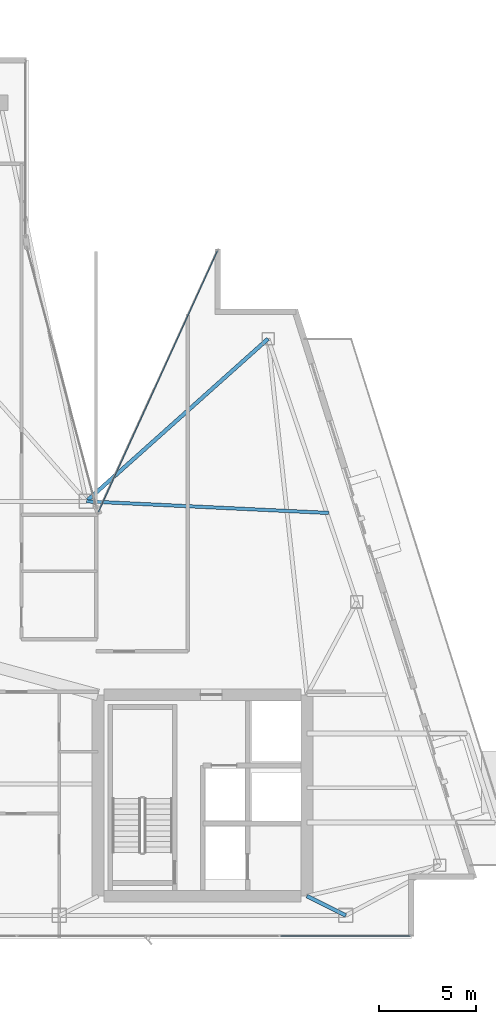
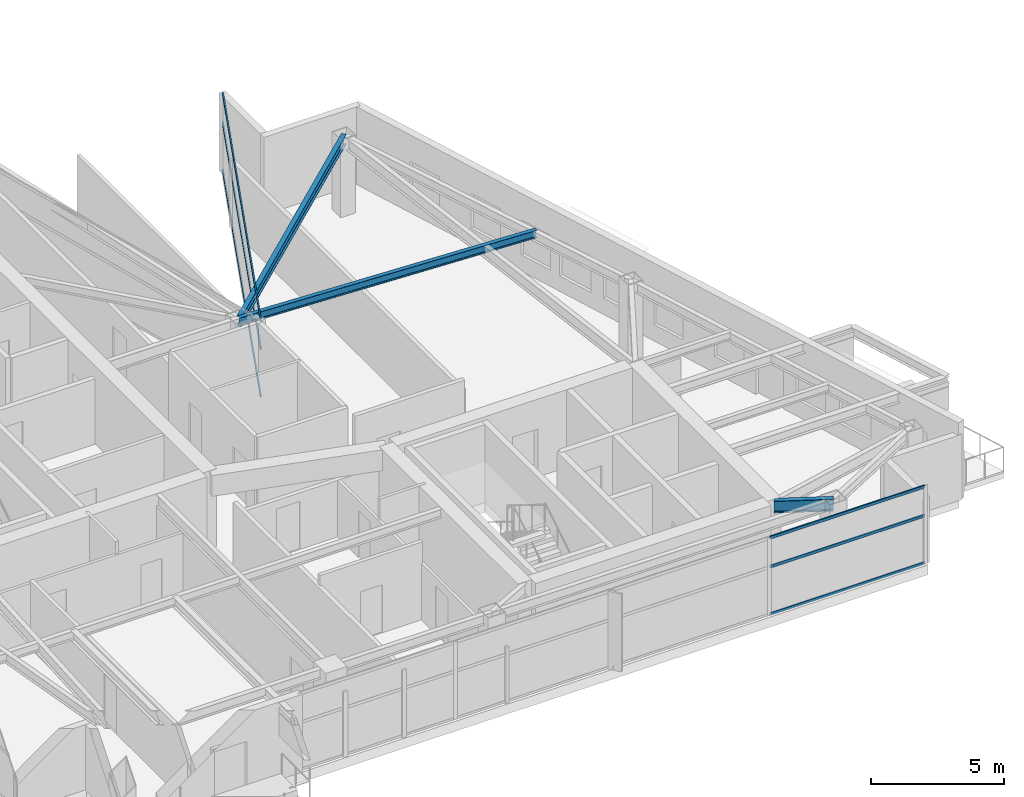
# One storey, part 13 of 27: 6 members, 3 beams, 2 elements without a shape of their own.
"""IFC4 building model written with IfcOpenShell, lengths in metres."""

from ifc_helpers import new_model, si_unit, direction, frame, origin, origin_2d, place, context, subcontext, project, spatial, hollow_rectangle, i_section, extrude, material, layer, layer_set, material_profile, profile_set, type_object, element, aggregate, save


model = new_model("IFC4")

# Units and contexts
model_context = context("Model", 3, precision=1e-05, world=origin(), true_north=direction((0.0, 1.0)))
body_context = subcontext(model_context, "Body", "Model", "MODEL_VIEW")
ifc_project = project(units=[si_unit("LENGTHUNIT", "METRE"), si_unit("AREAUNIT", "SQUARE_METRE"), si_unit("VOLUMEUNIT", "CUBIC_METRE"), si_unit("PLANEANGLEUNIT", "RADIAN"), si_unit("MASSUNIT", "GRAM", prefix="KILO")], contexts=[model_context])

# Site, building, storey
site_placement = place(None, origin())
site = spatial("IfcSite", under=ifc_project, at=site_placement, CompositionType="ELEMENT")
building_placement = place(site_placement, origin())
building = spatial("IfcBuilding", under=site, at=building_placement, Name="Calvorn Quay Hotel", CompositionType="ELEMENT")
storey_placement = place(building_placement, frame((0.0, 0.0, 287.300048828125)))
storey = spatial("IfcBuildingStorey", under=building, at=storey_placement, Name="L71", CompositionType="ELEMENT", Elevation=287.300048828125)

# Beams
ifc_material_1 = material(Name="Steel Q355B", Category="steel")
ifc_material_profile_1 = material_profile(ifc_material_1, i_section(OverallWidth=0.199951171875, OverallDepth=0.550048828125, WebThickness=0.010009765625, FlangeThickness=0.01611328125, FilletRadius=0.01806640625, at=origin_2d()), Name="HN550x200x10x16")
ifc_profile_set_1 = profile_set([ifc_material_profile_1], Name="Steel Q355B")
beam_type_1 = type_object("IfcBeamType", Name="BM-GIRD-UPP", PredefinedType="BEAM", material=ifc_profile_set_1)
beam_1_placement = place(storey_placement, frame((34.39990234375, 3.60009765625, 3.264892578125), z_axis=(-0.894427191, 0.4472135955, 0.0), x_axis=(-0.4472135955, -0.894427191, 0.0)))
element("IfcBeam", 1, at=beam_1_placement, inside=storey, type_object=beam_type_1, Name="Beam BG-L71-S3", PredefinedType="BEAM", context=body_context, shape_type="SweptSolid", body=[
    extrude(i_section(OverallWidth=0.199951171875, OverallDepth=0.550048828125, WebThickness=0.010009765625, FlangeThickness=0.01611328125, FilletRadius=0.01806640625, at=origin_2d()), origin(), (0.0, 0.0, 1.0), 2.236083984375),
])
ifc_material_2 = material(Name="Steel Q355B", Category="steel")
ifc_material_profile_2 = material_profile(ifc_material_2, i_section(OverallWidth=0.175048828125, OverallDepth=0.35009765625, WebThickness=0.007080078125, FlangeThickness=0.010986328125, FilletRadius=0.013916015625, at=origin_2d()), Name="HN350x175x7x11")
ifc_profile_set_2 = profile_set([ifc_material_profile_2], Name="Steel Q355B")
beam_type_2 = type_object("IfcBeamType", Name="BM-JOIST-SEC", PredefinedType="JOIST", material=ifc_profile_set_2)
beam_2_placement = place(storey_placement, frame((21.0, 25.0, 3.364990234375), z_axis=(0.998854576396, -0.047849087891, 0.0), x_axis=(0.047849087891, 0.998854576396, 0.0)))
element("IfcBeam", 2, at=beam_2_placement, inside=storey, type_object=beam_type_2, Name="Beam BJ-L71-E3", PredefinedType="JOIST", context=body_context, shape_type="SweptSolid", body=[
    extrude(i_section(OverallWidth=0.175048828125, OverallDepth=0.35009765625, WebThickness=0.007080078125, FlangeThickness=0.010986328125, FilletRadius=0.013916015625, at=origin_2d()), origin(), (0.0, 0.0, 1.0), 12.54150390625),
])
ifc_material_3 = material(Name="Steel Q355B", Category="steel")
ifc_material_profile_3 = material_profile(ifc_material_3, i_section(OverallWidth=0.199951171875, OverallDepth=0.449951171875, WebThickness=0.009033203125, FlangeThickness=0.013916015625, FilletRadius=0.01611328125, at=origin_2d()), Name="HN450x200x9x14")
ifc_profile_set_3 = profile_set([ifc_material_profile_3], Name="Steel Q355B")
beam_type_3 = type_object("IfcBeamType", Name="BM-SPANDREL-Z3", PredefinedType="SPANDREL", material=ifc_profile_set_3)
beam_3_placement = place(storey_placement, frame((30.39111328125, 33.39990234375, 3.31494140625), z_axis=(-0.745346713825, -0.666677040396, 0.0), x_axis=(0.666677040396, -0.745346713825, 0.0)))
element("IfcBeam", 3, at=beam_3_placement, inside=storey, type_object=beam_type_3, Name="Beam BSP-L71-E3", PredefinedType="SPANDREL", context=body_context, shape_type="SweptSolid", body=[
    extrude(i_section(OverallWidth=0.199951171875, OverallDepth=0.449951171875, WebThickness=0.009033203125, FlangeThickness=0.013916015625, FilletRadius=0.01611328125, at=origin_2d()), origin(), (0.0, 0.0, 1.0), 12.599609375),
])

# Curtain wall, members
ifc_material_4 = material(Name="Champagne Bronze Anodised Aluminium and Low-E Glass", Category="aluminium")
ifc_layer = layer(ifc_material_4, 0.219970703125)
ifc_layer_set = layer_set([ifc_layer], Name="CW-SYS-Z4")
curtain_wall_type = type_object("IfcCurtainWallType", Name="CW-SYS-Z4", PredefinedType="NOTDEFINED", material=ifc_layer_set)
curtain_wall_1_placement = place(storey_placement, origin())
curtain_wall_1 = element("IfcCurtainWall", 4, at=curtain_wall_1_placement, inside=storey, type_object=curtain_wall_type, Name="Tower South Waterfront Curtain Wall (L71)", PredefinedType="NOTDEFINED")
ifc_material_5 = material(Name="Champagne Bronze Anodised Aluminium 6063-T6", Category="aluminium")
ifc_material_profile_4 = material_profile(ifc_material_5, hollow_rectangle(XDim=0.054931640625, YDim=0.1298828125, WallThickness=0.003173828125, at=origin_2d()), Name="ALU-T130x55x3.2")
ifc_profile_set_4 = profile_set([ifc_material_profile_4], Name="Champagne Bronze Anodised Aluminium 6063-T6")
member_type = type_object("IfcMemberType", Name="CW-SYS-Z4-TRN", PredefinedType="USERDEFINED", material=ifc_profile_set_4)
member_1_placement = place(storey_placement, frame((31.030029296875, 2.550048828125, 0.030029296875), z_axis=(1.0, 0.0, 0.0), x_axis=(0.0, 1.0, 0.0)))
member_1 = element("IfcMember", 5, at=member_1_placement, type_object=member_type, Name="CW-L71-S transom 4.1", ObjectType="TRANSOM", PredefinedType="USERDEFINED", context=body_context, shape_type="SweptSolid", body=[
    extrude(hollow_rectangle(XDim=0.054931640625, YDim=0.1298828125, WallThickness=0.003173828125, at=origin_2d()), origin(), (0.0, 0.0, 1.0), 6.7099609375),
])
member_2_placement = place(storey_placement, frame((31.030029296875, 2.550048828125, 2.199951171875), z_axis=(1.0, 0.0, 0.0), x_axis=(0.0, 1.0, 0.0)))
member_2 = element("IfcMember", 6, at=member_2_placement, type_object=member_type, Name="CW-L71-S transom 4.2", ObjectType="TRANSOM", PredefinedType="USERDEFINED", context=body_context, shape_type="SweptSolid", body=[
    extrude(hollow_rectangle(XDim=0.054931640625, YDim=0.1298828125, WallThickness=0.003173828125, at=origin_2d()), origin(), (0.0, 0.0, 1.0), 6.7099609375),
])
member_3_placement = place(storey_placement, frame((31.030029296875, 2.550048828125, 3.530029296875), z_axis=(1.0, 0.0, 0.0), x_axis=(0.0, 1.0, 0.0)))
member_3 = element("IfcMember", 7, at=member_3_placement, type_object=member_type, Name="CW-L71-S transom 4.3", ObjectType="TRANSOM", PredefinedType="USERDEFINED", context=body_context, shape_type="SweptSolid", body=[
    extrude(hollow_rectangle(XDim=0.054931640625, YDim=0.1298828125, WallThickness=0.003173828125, at=origin_2d()), origin(), (0.0, 0.0, 1.0), 6.7099609375),
])
aggregate(curtain_wall_1, [member_1, member_2, member_3])

curtain_wall_2_placement = place(storey_placement, origin())
curtain_wall_2 = element("IfcCurtainWall", 8, at=curtain_wall_2_placement, inside=storey, type_object=curtain_wall_type, Name="Inner Court Curtain Wall L71-NE1", PredefinedType="NOTDEFINED")
member_4_placement = place(storey_placement, frame((27.775146484375, 37.9453125, 0.030029296875), z_axis=(-0.414808842845, -0.909908579967, 0.0), x_axis=(0.909908579967, -0.414808842845, 0.0)))
member_4 = element("IfcMember", 9, at=member_4_placement, type_object=member_type, Name="CW-L71-NE1 transom 1.1", ObjectType="TRANSOM", PredefinedType="USERDEFINED", context=body_context, shape_type="SweptSolid", body=[
    extrude(hollow_rectangle(XDim=0.054931640625, YDim=0.1298828125, WallThickness=0.003173828125, at=origin_2d()), origin(), (0.0, 0.0, 1.0), 14.826416015625),
])
member_5_placement = place(storey_placement, frame((27.775146484375, 37.9453125, 2.199951171875), z_axis=(-0.414808842845, -0.909908579967, 0.0), x_axis=(0.909908579967, -0.414808842845, 0.0)))
member_5 = element("IfcMember", 10, at=member_5_placement, type_object=member_type, Name="CW-L71-NE1 transom 1.2", ObjectType="TRANSOM", PredefinedType="USERDEFINED", context=body_context, shape_type="SweptSolid", body=[
    extrude(hollow_rectangle(XDim=0.054931640625, YDim=0.1298828125, WallThickness=0.003173828125, at=origin_2d()), origin(), (0.0, 0.0, 1.0), 14.826416015625),
])
member_6_placement = place(storey_placement, frame((27.775146484375, 37.9453125, 3.530029296875), z_axis=(-0.414808842845, -0.909908579967, 0.0), x_axis=(0.909908579967, -0.414808842845, 0.0)))
member_6 = element("IfcMember", 11, at=member_6_placement, type_object=member_type, Name="CW-L71-NE1 transom 1.3", ObjectType="TRANSOM", PredefinedType="USERDEFINED", context=body_context, shape_type="SweptSolid", body=[
    extrude(hollow_rectangle(XDim=0.054931640625, YDim=0.1298828125, WallThickness=0.003173828125, at=origin_2d()), origin(), (0.0, 0.0, 1.0), 14.826416015625),
])
aggregate(curtain_wall_2, [member_4, member_5, member_6])

save(model, "model.ifc")
